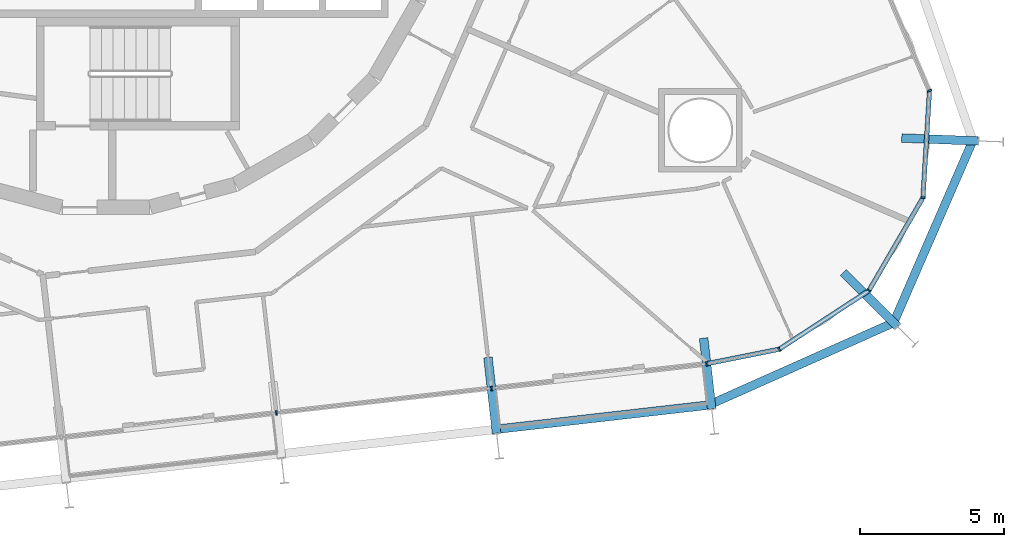
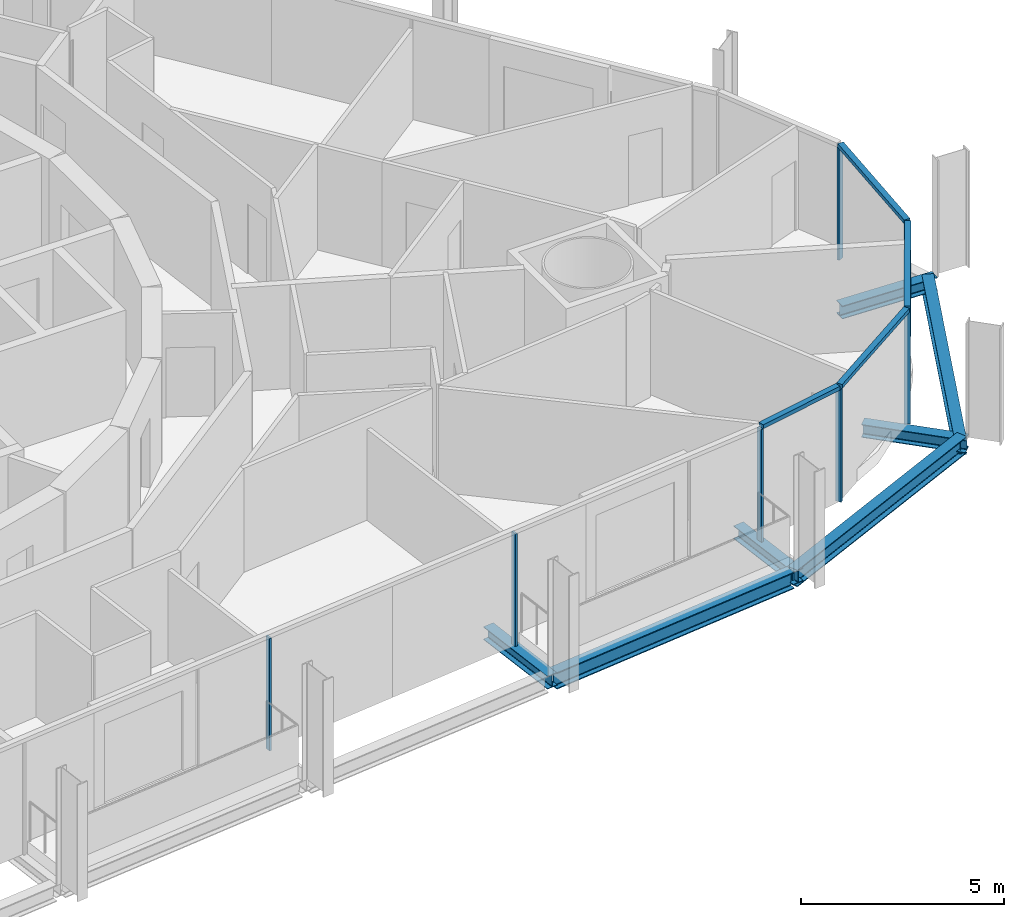
# One storey, part 7 of 24: 11 members, 7 beams, 2 elements without a shape of their own.
"""IFC4 building model written with IfcOpenShell, lengths in metres."""

from ifc_helpers import new_model, si_unit, direction, frame, origin, origin_2d, place, context, subcontext, project, spatial, rectangle, i_section, extrude, material, layer, layer_set, material_profile, profile_set, type_object, element, aggregate, save


model = new_model("IFC4")

# Units and contexts
model_context = context("Model", 3, precision=1e-05, world=origin(), true_north=direction((0.0, 1.0)))
body_context = subcontext(model_context, "Body", "Model", "MODEL_VIEW")
ifc_project = project(units=[si_unit("LENGTHUNIT", "METRE"), si_unit("AREAUNIT", "SQUARE_METRE"), si_unit("VOLUMEUNIT", "CUBIC_METRE"), si_unit("PLANEANGLEUNIT", "RADIAN"), si_unit("MASSUNIT", "GRAM", prefix="KILO")], contexts=[model_context])

# Site, building, storey
site_placement = place(None, origin())
site = spatial("IfcSite", under=ifc_project, at=site_placement, CompositionType="ELEMENT")
building_placement = place(site_placement, origin())
building = spatial("IfcBuilding", under=site, at=building_placement, Name="Spindle Arch Residences", CompositionType="ELEMENT")
storey_placement = place(building_placement, frame((0.0, 0.0, 87.199951171875)))
storey = spatial("IfcBuildingStorey", under=building, at=storey_placement, Name="L20", CompositionType="ELEMENT", Elevation=87.199951171875)

# Curtain wall, members
ifc_material_1 = material(Name="Aluminium bronze unitised frame with tinted glass", Category="aluminium")
ifc_layer_1 = layer(ifc_material_1, 0.159912109375)
ifc_layer_set_1 = layer_set([ifc_layer_1], Name="CW-D corner wall on the fillet arcs")
curtain_wall_type_1 = type_object("IfcCurtainWallType", Name="CW-D corner wall on the fillet arcs", PredefinedType="NOTDEFINED", material=ifc_layer_set_1)
curtain_wall_1_placement = place(storey_placement, origin())
curtain_wall_1 = element("IfcCurtainWall", 1, at=curtain_wall_1_placement, inside=storey, type_object=curtain_wall_type_1, Name="CW-D L20 run 1", PredefinedType="NOTDEFINED")
ifc_material_2 = material(Name="Aluminium bronze anodised mullion", Category="aluminium")
ifc_material_profile_1 = material_profile(ifc_material_2, rectangle(XDim=0.159912109375, YDim=0.06005859375, at=origin_2d()), Name="MU 60x160")
ifc_profile_set_1 = profile_set([ifc_material_profile_1], Name="Aluminium bronze anodised mullion")
member_type_1 = type_object("IfcMemberType", Name="Bronze mullion 60x160", PredefinedType="MULLION", material=ifc_profile_set_1)
member_1_placement = place(storey_placement, frame((20.865234375, -17.085205078125, -0.3798828125), z_axis=(0.0, 0.0, 1.0), x_axis=(-0.196863041416, 0.980430998553, 0.0)))
member_1 = element("IfcMember", 2, at=member_1_placement, type_object=member_type_1, Name="CW-D mullion 00", PredefinedType="MULLION", context=body_context, shape_type="SweptSolid", body=[
    extrude(rectangle(XDim=0.159912109375, YDim=0.06005859375, at=origin_2d()), origin(), (0.0, 0.0, 1.0), 3.3798828125),
])
member_2_placement = place(storey_placement, frame((23.38916015625, -16.57861328125, -0.3798828125), z_axis=(0.0, 0.0, 1.0), x_axis=(-0.547076323657, 0.83708272954, 0.0)))
member_2 = element("IfcMember", 3, at=member_2_placement, type_object=member_type_1, Name="CW-D mullion 01", PredefinedType="MULLION", context=body_context, shape_type="SweptSolid", body=[
    extrude(rectangle(XDim=0.159912109375, YDim=0.06005859375, at=origin_2d()), origin(), (0.0, 0.0, 1.0), 3.3798828125),
])
member_3_placement = place(storey_placement, frame((26.508544921875, -14.539794921875, -0.3798828125), z_axis=(0.0, 0.0, 1.0), x_axis=(-0.864567301682, 0.502517045345, 0.0)))
member_3 = element("IfcMember", 4, at=member_3_placement, type_object=member_type_1, Name="CW-D mullion 02", PredefinedType="MULLION", context=body_context, shape_type="SweptSolid", body=[
    extrude(rectangle(XDim=0.159912109375, YDim=0.06005859375, at=origin_2d()), origin(), (0.0, 0.0, 1.0), 3.3798828125),
])
member_4_placement = place(storey_placement, frame((28.38134765625, -11.317626953125, -0.3798828125), z_axis=(0.0, 0.0, 1.0), x_axis=(-0.998134798631, 0.06104853612, 0.0)))
member_4 = element("IfcMember", 5, at=member_4_placement, type_object=member_type_1, Name="CW-D mullion 03", PredefinedType="MULLION", context=body_context, shape_type="SweptSolid", body=[
    extrude(rectangle(XDim=0.159912109375, YDim=0.06005859375, at=origin_2d()), origin(), (0.0, 0.0, 1.0), 3.3798828125),
])
member_5_placement = place(storey_placement, frame((28.60888671875, -7.597900390625, -0.3798828125), z_axis=(0.0, 0.0, 1.0), x_axis=(-0.919364369298, -0.393407112882, 0.0)))
member_5 = element("IfcMember", 6, at=member_5_placement, type_object=member_type_1, Name="CW-D mullion 04", PredefinedType="MULLION", context=body_context, shape_type="SweptSolid", body=[
    extrude(rectangle(XDim=0.159912109375, YDim=0.06005859375, at=origin_2d()), origin(), (0.0, 0.0, 1.0), 3.3798828125),
])

ifc_material_3 = material(Name="Aluminium bronze unitised frame with tinted glass", Category="aluminium")
ifc_layer_2 = layer(ifc_material_3, 0.159912109375)
ifc_layer_set_2 = layer_set([ifc_layer_2], Name="CW-C typical residential unitised wall")
curtain_wall_type_2 = type_object("IfcCurtainWallType", Name="CW-C typical residential unitised wall", PredefinedType="NOTDEFINED", material=ifc_layer_set_2)
curtain_wall_2_placement = place(storey_placement, origin())
curtain_wall_2 = element("IfcCurtainWall", 7, at=curtain_wall_2_placement, inside=storey, type_object=curtain_wall_type_2, Name="CW-C L20 run 6", PredefinedType="NOTDEFINED")
member_6_placement = place(storey_placement, frame((5.92431640625, -18.78759765625, -0.3798828125), z_axis=(0.0, 0.0, 1.0), x_axis=(-0.113203213768, 0.993571855677, 0.0)))
member_6 = element("IfcMember", 8, at=member_6_placement, type_object=member_type_1, Name="CW-C mullion 00", PredefinedType="MULLION", context=body_context, shape_type="SweptSolid", body=[
    extrude(rectangle(XDim=0.159912109375, YDim=0.06005859375, at=origin_2d()), origin(), (0.0, 0.0, 1.0), 3.3798828125),
])
member_7_placement = place(storey_placement, frame((13.394775390625, -17.9365234375, -0.3798828125), z_axis=(0.0, 0.0, 1.0), x_axis=(-0.113203213768, 0.993571855677, 0.0)))
member_7 = element("IfcMember", 9, at=member_7_placement, type_object=member_type_1, Name="CW-C mullion 01", PredefinedType="MULLION", context=body_context, shape_type="SweptSolid", body=[
    extrude(rectangle(XDim=0.159912109375, YDim=0.06005859375, at=origin_2d()), origin(), (0.0, 0.0, 1.0), 3.3798828125),
])
aggregate(curtain_wall_2, [member_6, member_7])

# Member
ifc_material_4 = material(Name="Aluminium bronze anodised transom", Category="aluminium")
ifc_material_profile_2 = material_profile(ifc_material_4, rectangle(XDim=0.159912109375, YDim=0.1201171875, at=origin_2d()), Name="TR 120x160")
ifc_profile_set_2 = profile_set([ifc_material_profile_2], Name="Aluminium bronze anodised transom")
member_type_2 = type_object("IfcMemberType", Name="Bronze transom 120x160", PredefinedType="USERDEFINED", material=ifc_profile_set_2)
member_8_placement = place(storey_placement, frame((20.894775390625, -17.079345703125, 3.06005859375), z_axis=(0.980434738394, 0.196844415088, 0.0), x_axis=(-0.196844415088, 0.980434738394, 0.0)))
member_8 = element("IfcMember", 10, at=member_8_placement, type_object=member_type_2, Name="CW-D transom 00", ObjectType="TRANSOM", PredefinedType="USERDEFINED", context=body_context, shape_type="SweptSolid", body=[
    extrude(rectangle(XDim=0.159912109375, YDim=0.1201171875, at=origin_2d()), origin(), (0.0, 0.0, 1.0), 2.513916015625),
])

member_9_placement = place(storey_placement, frame((23.4140625, -16.562255859375, 3.06005859375), z_axis=(0.837085709997, 0.547071763226, 0.0), x_axis=(-0.547071763226, 0.837085709997, 0.0)))
member_9 = element("IfcMember", 11, at=member_9_placement, type_object=member_type_2, Name="CW-D transom 01", ObjectType="TRANSOM", PredefinedType="USERDEFINED", context=body_context, shape_type="SweptSolid", body=[
    extrude(rectangle(XDim=0.159912109375, YDim=0.1201171875, at=origin_2d()), origin(), (0.0, 0.0, 1.0), 3.6669921875),
])

member_10_placement = place(storey_placement, frame((26.523681640625, -14.513916015625, 3.06005859375), z_axis=(0.502549865263, 0.864548224753, 0.0), x_axis=(-0.864548224753, 0.502549865263, 0.0)))
member_10 = element("IfcMember", 12, at=member_10_placement, type_object=member_type_2, Name="CW-D transom 02", ObjectType="TRANSOM", PredefinedType="USERDEFINED", context=body_context, shape_type="SweptSolid", body=[
    extrude(rectangle(XDim=0.159912109375, YDim=0.1201171875, at=origin_2d()), origin(), (0.0, 0.0, 1.0), 3.666748046875),
])

member_11_placement = place(storey_placement, frame((28.38330078125, -11.287841796875, 3.06005859375), z_axis=(0.061055913319, 0.998134347395, 0.0), x_axis=(-0.998134347395, 0.061055913319, 0.0)))
member_11 = element("IfcMember", 13, at=member_11_placement, type_object=member_type_2, Name="CW-D transom 03", ObjectType="TRANSOM", PredefinedType="USERDEFINED", context=body_context, shape_type="SweptSolid", body=[
    extrude(rectangle(XDim=0.159912109375, YDim=0.1201171875, at=origin_2d()), origin(), (0.0, 0.0, 1.0), 3.666748046875),
])

aggregate(curtain_wall_1, [member_1, member_8, member_2, member_9, member_3, member_10, member_4, member_11, member_5])

# Beams
ifc_material_5 = material(Name="Steel S460ML, intumescent coating R 120", Category="steel")
ifc_material_profile_3 = material_profile(ifc_material_5, i_section(OverallWidth=0.300048828125, OverallDepth=0.5, WebThickness=0.014404296875, FlangeThickness=0.028076171875, FilletRadius=0.027099609375, at=origin_2d()), Name="HEB 500")
ifc_profile_set_3 = profile_set([ifc_material_profile_3], Name="Steel S460ML, intumescent coating R 120")
beam_type_1 = type_object("IfcBeamType", Name="Exoskeleton edge beam HEB 500", PredefinedType="BEAM", material=ifc_profile_set_3)
beam_1_placement = place(storey_placement, frame((13.686279296875, -19.345703125, -0.6298828125), z_axis=(0.993567208644, 0.113243992807, 0.0), x_axis=(-0.113243992807, 0.993567208644, 0.0)))
element("IfcBeam", 14, at=beam_1_placement, inside=storey, type_object=beam_type_1, Name="Exoskeleton edge beam 2", PredefinedType="BEAM", context=body_context, shape_type="SweptSolid", body=[
    extrude(i_section(OverallWidth=0.300048828125, OverallDepth=0.5, WebThickness=0.014404296875, FlangeThickness=0.028076171875, FilletRadius=0.027099609375, at=origin_2d()), origin(), (0.0, 0.0, 1.0), 7.2587890625),
])
beam_2_placement = place(storey_placement, frame((20.956787109375, -18.510986328125, -0.6298828125), z_axis=(0.913358271861, 0.407156809133, 0.0), x_axis=(-0.407156809133, 0.913358271861, 0.0)))
element("IfcBeam", 15, at=beam_2_placement, inside=storey, type_object=beam_type_1, Name="Exoskeleton edge beam 3", PredefinedType="BEAM", context=body_context, shape_type="SweptSolid", body=[
    extrude(i_section(OverallWidth=0.300048828125, OverallDepth=0.5, WebThickness=0.014404296875, FlangeThickness=0.028076171875, FilletRadius=0.027099609375, at=origin_2d()), origin(), (0.0, 0.0, 1.0), 7.09423828125),
])
beam_3_placement = place(storey_placement, frame((27.324462890625, -15.74462890625, -0.6298828125), z_axis=(0.398753826639, 0.917058005658, 0.0), x_axis=(-0.917058005658, 0.398753826639, 0.0)))
element("IfcBeam", 16, at=beam_3_placement, inside=storey, type_object=beam_type_1, Name="Exoskeleton edge beam 4", PredefinedType="BEAM", context=body_context, shape_type="SweptSolid", body=[
    extrude(i_section(OverallWidth=0.300048828125, OverallDepth=0.5, WebThickness=0.014404296875, FlangeThickness=0.028076171875, FilletRadius=0.027099609375, at=origin_2d()), origin(), (0.0, 0.0, 1.0), 7.086181640625),
])
ifc_material_6 = material(Name="Steel S460ML, intumescent coating R 120", Category="steel")
ifc_material_profile_4 = material_profile(ifc_material_6, i_section(OverallWidth=0.300048828125, OverallDepth=0.389892578125, WebThickness=0.010986328125, FlangeThickness=0.01904296875, FilletRadius=0.027099609375, at=origin_2d()), Name="HEA 400")
ifc_profile_set_4 = profile_set([ifc_material_profile_4], Name="Steel S460ML, intumescent coating R 120")
beam_type_2 = type_object("IfcBeamType", Name="Floor outrigger HEA 400", PredefinedType="BEAM", material=ifc_profile_set_4)
beam_4_placement = place(storey_placement, frame((13.572509765625, -19.496337890625, -0.574951171875), z_axis=(-0.113130863078, 0.993580096328, 0.0), x_axis=(-0.993580096328, -0.113130863078, 0.0)))
element("IfcBeam", 17, at=beam_4_placement, inside=storey, type_object=beam_type_2, Name="Floor outrigger 2", PredefinedType="BEAM", context=body_context, shape_type="SweptSolid", body=[
    extrude(i_section(OverallWidth=0.300048828125, OverallDepth=0.389892578125, WebThickness=0.010986328125, FlangeThickness=0.01904296875, FilletRadius=0.027099609375, at=origin_2d()), origin(), (0.0, 0.0, 1.0), 2.650146484375),
])
beam_5_placement = place(storey_placement, frame((21.043212890625, -18.645263671875, -0.574951171875), z_axis=(-0.113326452293, 0.993557806678, 0.0), x_axis=(-0.993557806678, -0.113326452293, 0.0)))
element("IfcBeam", 18, at=beam_5_placement, inside=storey, type_object=beam_type_2, Name="Floor outrigger 3", PredefinedType="BEAM", context=body_context, shape_type="SweptSolid", body=[
    extrude(i_section(OverallWidth=0.300048828125, OverallDepth=0.389892578125, WebThickness=0.010986328125, FlangeThickness=0.01904296875, FilletRadius=0.027099609375, at=origin_2d()), origin(), (0.0, 0.0, 1.0), 2.470947265625),
])
beam_6_placement = place(storey_placement, frame((27.49169921875, -15.78076171875, -0.574951171875), z_axis=(-0.709222613683, 0.704984598584, 0.0), x_axis=(-0.704984598584, -0.709222613683, 0.0)))
element("IfcBeam", 19, at=beam_6_placement, inside=storey, type_object=beam_type_2, Name="Floor outrigger 4", PredefinedType="BEAM", context=body_context, shape_type="SweptSolid", body=[
    extrude(i_section(OverallWidth=0.300048828125, OverallDepth=0.389892578125, WebThickness=0.010986328125, FlangeThickness=0.01904296875, FilletRadius=0.027099609375, at=origin_2d()), origin(), (0.0, 0.0, 1.0), 2.64990234375),
])
beam_7_placement = place(storey_placement, frame((30.290771484375, -9.34375, -0.574951171875), z_axis=(-0.999282920946, 0.037863490413, 0.0), x_axis=(-0.037863490413, -0.999282920946, 0.0)))
element("IfcBeam", 20, at=beam_7_placement, inside=storey, type_object=beam_type_2, Name="Floor outrigger 5", PredefinedType="BEAM", context=body_context, shape_type="SweptSolid", body=[
    extrude(i_section(OverallWidth=0.300048828125, OverallDepth=0.389892578125, WebThickness=0.010986328125, FlangeThickness=0.01904296875, FilletRadius=0.027099609375, at=origin_2d()), origin(), (0.0, 0.0, 1.0), 2.650146484375),
])

save(model, "model.ifc")
